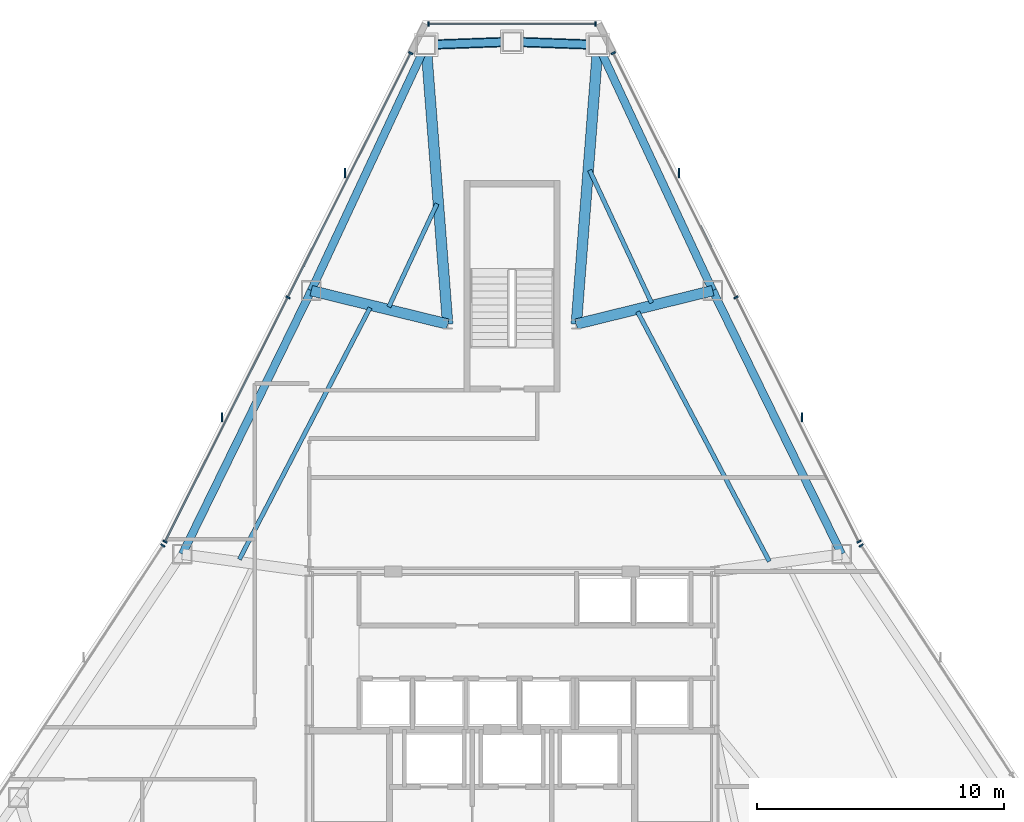
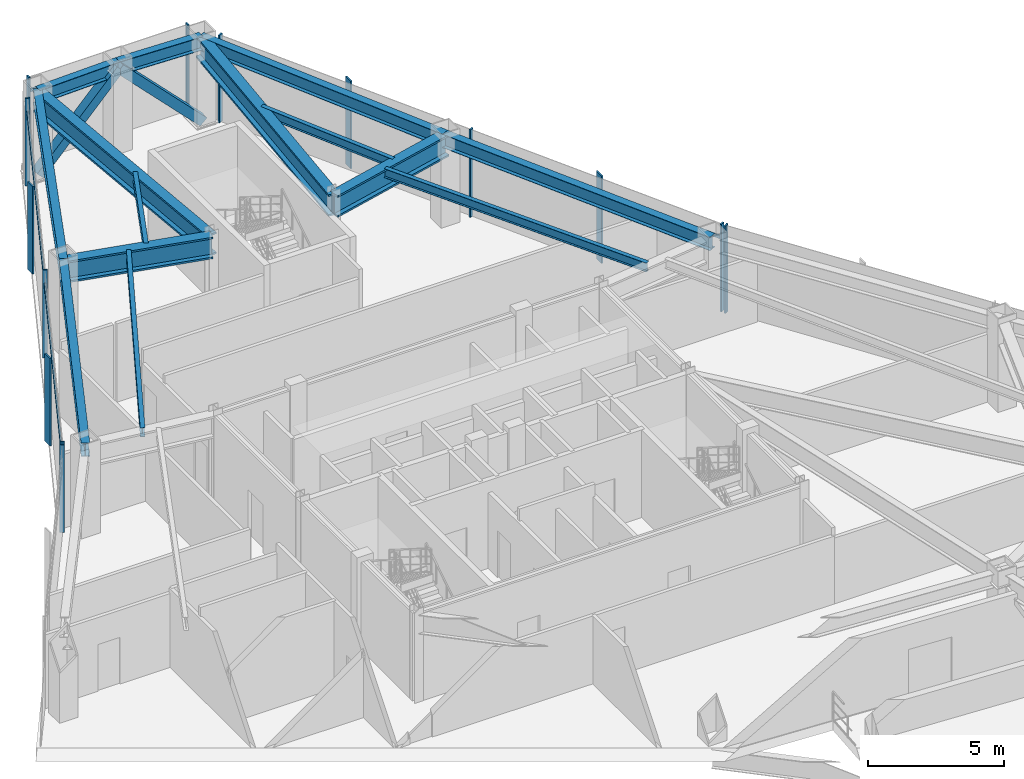
# One storey, part 7 of 13: 19 members, 14 beams, 5 elements without a shape of their own.
"""IFC4 building model written with IfcOpenShell, lengths in metres."""

from ifc_helpers import new_model, si_unit, direction, frame, origin, origin_2d, place, context, subcontext, project, spatial, rectangle, hollow_rectangle, i_section, extrude, source, transform, mapped, material, layer, layer_set, material_profile, profile_set, type_object, type_shapes, element, aggregate, save


model = new_model("IFC4")

# Units and contexts
model_context = context("Model", 3, precision=1e-05, world=origin(), true_north=direction((0.0, 1.0)))
body_context = subcontext(model_context, "Body", "Model", "MODEL_VIEW")
ifc_project = project(units=[si_unit("LENGTHUNIT", "METRE"), si_unit("AREAUNIT", "SQUARE_METRE"), si_unit("VOLUMEUNIT", "CUBIC_METRE"), si_unit("PLANEANGLEUNIT", "RADIAN"), si_unit("MASSUNIT", "GRAM", prefix="KILO")], contexts=[model_context])

# Site, building, storey
site_placement = place(None, origin())
site = spatial("IfcSite", under=ifc_project, at=site_placement, CompositionType="ELEMENT")
building_placement = place(site_placement, origin())
building = spatial("IfcBuilding", under=site, at=building_placement, Name="Varakhsha Concourse Tower", CompositionType="ELEMENT")
storey_placement = place(building_placement, frame((0.0, 0.0, 196.5)))
storey = spatial("IfcBuildingStorey", under=building, at=storey_placement, Name="L56", CompositionType="ELEMENT", Elevation=196.5)

# Beams
ifc_material_1 = material(Name="Structural Steel ASTM A992 Grade 50", Category="steel")
ifc_material_profile_1 = material_profile(ifc_material_1, i_section(OverallWidth=0.177978515625, OverallDepth=0.406982421875, WebThickness=0.008056640625, FlangeThickness=0.012939453125, at=origin_2d()), Name="W16X40")
ifc_profile_set_1 = profile_set([ifc_material_profile_1], Name="Structural Steel ASTM A992 Grade 50")
beam_type_1 = type_object("IfcBeamType", Name="BM-JST-W16X40", PredefinedType="JOIST", material=ifc_profile_set_1)
beam_1_placement = place(storey_placement, frame((36.9677734375, 46.069580078125, 3.736572265625), z_axis=(-0.423117578437, -0.90607478434, 0.0), x_axis=(0.90607478434, -0.423117578437, 0.0)))
element("IfcBeam", 1, at=beam_1_placement, inside=storey, type_object=beam_type_1, Name="BM-TJST-L56-03", PredefinedType="JOIST", context=body_context, shape_type="SweptSolid", body=[
    extrude(i_section(OverallWidth=0.177978515625, OverallDepth=0.406982421875, WebThickness=0.008056640625, FlangeThickness=0.012939453125, at=origin_2d()), origin(), (0.0, 0.0, 1.0), 4.606201171875),
])
beam_2_placement = place(storey_placement, frame((34.259521484375, 41.861083984375, 3.736572265625), z_axis=(-0.460834949747, -0.88748585853, 0.0), x_axis=(0.88748585853, -0.460834949747, 0.0)))
element("IfcBeam", 2, at=beam_2_placement, inside=storey, type_object=beam_type_1, Name="BM-TJST-L56-04", PredefinedType="JOIST", context=body_context, shape_type="SweptSolid", body=[
    extrude(i_section(OverallWidth=0.177978515625, OverallDepth=0.406982421875, WebThickness=0.008056640625, FlangeThickness=0.012939453125, at=origin_2d()), origin(), (0.0, 0.0, 1.0), 11.462890625),
])
beam_3_placement = place(storey_placement, frame((50.406494140625, 31.60400390625, 3.736572265625), z_axis=(-0.466723767291, 0.884403146221, 0.0), x_axis=(-0.884403146221, -0.466723767291, 0.0)))
element("IfcBeam", 3, at=beam_3_placement, inside=storey, type_object=beam_type_1, Name="BM-TJST-L56-17", PredefinedType="JOIST", context=body_context, shape_type="SweptSolid", body=[
    extrude(i_section(OverallWidth=0.177978515625, OverallDepth=0.406982421875, WebThickness=0.008056640625, FlangeThickness=0.012939453125, at=origin_2d()), origin(), (0.0, 0.0, 1.0), 11.41455078125),
])
beam_4_placement = place(storey_placement, frame((45.643310546875, 42.05859375, 3.736572265625), z_axis=(-0.423111124643, 0.906077798096, 0.0), x_axis=(-0.906077798096, -0.423111124643, 0.0)))
element("IfcBeam", 4, at=beam_4_placement, inside=storey, type_object=beam_type_1, Name="BM-TJST-L56-18", PredefinedType="JOIST", context=body_context, shape_type="SweptSolid", body=[
    extrude(i_section(OverallWidth=0.177978515625, OverallDepth=0.406982421875, WebThickness=0.008056640625, FlangeThickness=0.012939453125, at=origin_2d()), origin(), (0.0, 0.0, 1.0), 5.92236328125),
])
ifc_material_profile_2 = material_profile(ifc_material_1, i_section(OverallWidth=0.323974609375, OverallDepth=0.611083984375, WebThickness=0.012939453125, FlangeThickness=0.01904296875, at=origin_2d()), Name="W24X104")
ifc_profile_set_2 = profile_set([ifc_material_profile_2], Name="Structural Steel ASTM A992 Grade 50")
beam_type_2 = type_object("IfcBeamType", Name="BM-SPAN-W24X104", PredefinedType="SPANDREL", material=ifc_profile_set_2)
for number, where, z_axis, x_axis, name in (
    (5, (43.4765625, 52.493408203125, 3.634521484375), (-0.999359273295, 0.035791659367, 0.0), (-0.035791659367, -0.999359273295, 0.0), "BM-SPAN-L56-01"),
    (6, (40.0, 52.617919921875, 3.634521484375), (-0.999359273295, -0.035791659367, 0.0), (0.035791659367, -0.999359273295, 0.0), "BM-SPAN-L56-02"),
):
    element("IfcBeam", number, at=place(storey_placement, frame(where, z_axis=z_axis, x_axis=x_axis)), inside=storey, type_object=beam_type_2, Name=name, PredefinedType="SPANDREL", context=body_context, shape_type="SweptSolid", body=[
        extrude(i_section(OverallWidth=0.323974609375, OverallDepth=0.611083984375, WebThickness=0.012939453125, FlangeThickness=0.01904296875, at=origin_2d()), origin(), (0.0, 0.0, 1.0), 3.478759765625),
    ])
beam_5_placement = place(storey_placement, frame((36.5234375, 52.493408203125, 3.634521484375), z_axis=(-0.423130372471, -0.906068809689, 0.0), x_axis=(0.906068809689, -0.423130372471, 0.0)))
element("IfcBeam", 7, at=beam_5_placement, inside=storey, type_object=beam_type_2, Name="BM-SPAN-L56-03", PredefinedType="SPANDREL", context=body_context, shape_type="SweptSolid", body=[
    extrude(i_section(OverallWidth=0.323974609375, OverallDepth=0.611083984375, WebThickness=0.012939453125, FlangeThickness=0.01904296875, at=origin_2d()), origin(), (0.0, 0.0, 1.0), 10.968505859375),
])
for number, where, z_axis, x_axis, name in (
    (8, (31.88232421875, 42.55517578125, 3.634521484375), (-0.43941051408, -0.898286368657, 0.0), (0.898286368657, -0.43941051408, 0.0), "BM-SPAN-L56-04"),
    (9, (53.331298828125, 31.89697265625, 3.634521484375), (-0.43941051408, 0.898286368657, 0.0), (-0.898286368657, -0.43941051408, 0.0), "BM-SPAN-L56-17"),
):
    element("IfcBeam", number, at=place(storey_placement, frame(where, z_axis=z_axis, x_axis=x_axis)), inside=storey, type_object=beam_type_2, Name=name, PredefinedType="SPANDREL", context=body_context, shape_type="SweptSolid", body=[
        extrude(i_section(OverallWidth=0.323974609375, OverallDepth=0.611083984375, WebThickness=0.012939453125, FlangeThickness=0.01904296875, at=origin_2d()), origin(), (0.0, 0.0, 1.0), 11.864990234375),
    ])
beam_6_placement = place(storey_placement, frame((48.11767578125, 42.55517578125, 3.634521484375), z_axis=(-0.423130372471, 0.906068809689, 0.0), x_axis=(-0.906068809689, -0.423130372471, 0.0)))
element("IfcBeam", 10, at=beam_6_placement, inside=storey, type_object=beam_type_2, Name="BM-SPAN-L56-18", PredefinedType="SPANDREL", context=body_context, shape_type="SweptSolid", body=[
    extrude(i_section(OverallWidth=0.323974609375, OverallDepth=0.611083984375, WebThickness=0.012939453125, FlangeThickness=0.01904296875, at=origin_2d()), origin(), (0.0, 0.0, 1.0), 10.968505859375),
])
ifc_material_profile_3 = material_profile(ifc_material_1, i_section(OverallWidth=0.427978515625, OverallDepth=0.97509765625, WebThickness=0.050048828125, FlangeThickness=0.0810546875, at=origin_2d()), Name="W36X395")
ifc_profile_set_3 = profile_set([ifc_material_profile_3], Name="Structural Steel ASTM A992 Grade 50")
beam_type_3 = type_object("IfcBeamType", Name="BM-XFER-W36X395", PredefinedType="USERDEFINED", material=ifc_profile_set_3)
for number, where, z_axis, x_axis, name in (
    (11, (42.60009765625, 41.199951171875, 3.452392578125), (0.077375529659, 0.997002019762, 0.0), (-0.997002019762, 0.077375529659, 0.0), "L56 Radial Floor Girder 01"),
    (12, (37.39990234375, 41.199951171875, 3.452392578125), (-0.077375529659, 0.997002019762, 0.0), (-0.997002019762, -0.077375529659, 0.0), "L56 Radial Floor Girder 03"),
):
    element("IfcBeam", number, at=place(storey_placement, frame(where, z_axis=z_axis, x_axis=x_axis)), inside=storey, type_object=beam_type_3, Name=name, ObjectType="GIRDER", PredefinedType="USERDEFINED", context=body_context, shape_type="SweptSolid", body=[
        extrude(i_section(OverallWidth=0.427978515625, OverallDepth=0.97509765625, WebThickness=0.050048828125, FlangeThickness=0.0810546875, at=origin_2d()), origin(), (0.0, 0.0, 1.0), 11.327392578125),
    ])
for number, where, z_axis, x_axis, name in (
    (13, (37.39990234375, 41.199951171875, 3.452392578125), (-0.971135199869, 0.238529712145, 0.0), (-0.238529712145, -0.971135199869, 0.0), "L56 Radial Floor Girder 04"),
    (14, (42.60009765625, 41.199951171875, 3.452392578125), (0.971135199869, 0.238529712145, 0.0), (-0.238529712145, 0.971135199869, 0.0), "L56 Radial Floor Girder 18"),
):
    element("IfcBeam", number, at=place(storey_placement, frame(where, z_axis=z_axis, x_axis=x_axis)), inside=storey, type_object=beam_type_3, Name=name, ObjectType="GIRDER", PredefinedType="USERDEFINED", context=body_context, shape_type="SweptSolid", body=[
        extrude(i_section(OverallWidth=0.427978515625, OverallDepth=0.97509765625, WebThickness=0.050048828125, FlangeThickness=0.0810546875, at=origin_2d()), origin(), (0.0, 0.0, 1.0), 5.681640625),
    ])

# Members
ifc_material_2 = material(Name="Structural Steel ASTM A500 Grade C", Category="steel")
ifc_material_profile_4 = material_profile(ifc_material_2, hollow_rectangle(XDim=0.39990234375, YDim=0.39990234375, WallThickness=0.01611328125, at=origin_2d()), Name="HSS 400x400x16")
ifc_profile_set_4 = profile_set([ifc_material_profile_4], Name="Structural Steel ASTM A500 Grade C")
member_type_1 = type_object("IfcMemberType", Name="MB-TUBE-HSS400", PredefinedType="BRACE", material=ifc_profile_set_4)
shared_shape_1 = source(origin(), body_context, "Body", "SweptSolid", [
    extrude(hollow_rectangle(XDim=0.39990234375, YDim=0.39990234375, WallThickness=0.01611328125, at=origin_2d()), origin(), (0.0, 0.0, 1.0), 4.94873046875),
])
type_shapes(member_type_1, [shared_shape_1])
for number, where, z_axis, x_axis, name in (
    (15, (43.4765625, 52.493408203125, 0.1201171875), (-0.702503476159, 0.025159885733, 0.711235436501), (-0.035791659367, -0.999359273295, 0.0), "L56 Wind-Corner Tube Brace B01"),
    (16, (36.5234375, 52.493408203125, 0.1201171875), (0.702503476159, 0.025159885733, 0.711235436501), (-0.035791659367, 0.999359273295, 0.0), "L56 Wind-Corner Tube Brace B02"),
):
    element("IfcMember", number, at=place(storey_placement, frame(where, z_axis=z_axis, x_axis=x_axis)), inside=storey, type_object=member_type_1, Name=name, PredefinedType="BRACE", context=body_context, shape_type="MappedRepresentation", body=[
        mapped(shared_shape_1, transform((0.0, 0.0, 0.0), scale=1.0)),
    ])

# Curtain wall, members
ifc_material_3 = material(Name="Anodised Bronze Architectural Aluminium AA 6063-T6", Category="aluminium")
ifc_layer = layer(ifc_material_3, 0.2099609375, Name="CW-SYS-04")
ifc_layer_set = layer_set([ifc_layer], Name="Anodised Bronze Architectural Aluminium AA 6063-T6")
curtain_wall_type = type_object("IfcCurtainWallType", Name="CW-SYS-04", PredefinedType="NOTDEFINED", material=ifc_layer_set)
curtain_wall_1_placement = place(storey_placement, origin())
curtain_wall_1 = element("IfcCurtainWall", 17, at=curtain_wall_1_placement, inside=storey, type_object=curtain_wall_type, Name="L56 Chamfer Curtain Wall F1", PredefinedType="NOTDEFINED")
ifc_material_profile_5 = material_profile(ifc_material_3, rectangle(XDim=0.06494140625, YDim=0.179931640625, at=origin_2d()), Name="CWM-180X65")
ifc_profile_set_5 = profile_set([ifc_material_profile_5], Name="Anodised Bronze Architectural Aluminium AA 6063-T6")
member_type_2 = type_object("IfcMemberType", Name="CWM-180X65", PredefinedType="MULLION", material=ifc_profile_set_5)
shared_shape_2 = source(origin(), body_context, "Body", "SweptSolid", [
    extrude(rectangle(XDim=0.06494140625, YDim=0.179931640625, at=origin_2d()), origin(), (0.0, 0.0, 1.0), 3.93994140625),
])
type_shapes(member_type_2, [shared_shape_2])
member_1_placement = place(storey_placement, frame((36.6201171875, 53.337890625, 0.0), z_axis=(0.0, 0.0, 1.0), x_axis=(1.0, 0.0, 0.0)))
member_1 = element("IfcMember", 18, at=member_1_placement, type_object=member_type_2, Name="CW-L56-F1 Mullion 00", PredefinedType="MULLION", context=body_context, shape_type="MappedRepresentation", body=[
    mapped(shared_shape_2, transform((0.0, 0.0, 0.0), scale=1.0)),
])
member_2_placement = place(storey_placement, frame((43.3798828125, 53.337890625, 0.0), z_axis=(0.0, 0.0, 1.0), x_axis=(1.0, 0.0, 0.0)))
member_2 = element("IfcMember", 19, at=member_2_placement, type_object=member_type_2, Name="CW-L56-F1 Mullion 01", PredefinedType="MULLION", context=body_context, shape_type="MappedRepresentation", body=[
    mapped(shared_shape_2, transform((0.0, 0.0, 0.0), scale=1.0)),
])

curtain_wall_2_placement = place(storey_placement, origin())
curtain_wall_2 = element("IfcCurtainWall", 20, at=curtain_wall_2_placement, inside=storey, type_object=curtain_wall_type, Name="L56 Crystal Curtain Wall F2", PredefinedType="NOTDEFINED")
member_3_placement = place(storey_placement, frame((25.97119140625, 32.402587890625, 0.0), z_axis=(0.0, 0.0, 1.0), x_axis=(0.44925506915, 0.893403538634, 0.0)))
member_3 = element("IfcMember", 21, at=member_3_placement, type_object=member_type_2, Name="CW-L56-F2 Mullion 00", PredefinedType="MULLION", context=body_context, shape_type="MappedRepresentation", body=[
    mapped(shared_shape_2, transform((0.0, 0.0, 0.0), scale=1.0)),
])
member_4_placement = place(storey_placement, frame((30.93798828125, 42.280029296875, 0.0), z_axis=(0.0, 0.0, 1.0), x_axis=(0.44925506915, 0.893403538634, 0.0)))
member_4 = element("IfcMember", 22, at=member_4_placement, type_object=member_type_2, Name="CW-L56-F2 Mullion 01", PredefinedType="MULLION", context=body_context, shape_type="MappedRepresentation", body=[
    mapped(shared_shape_2, transform((0.0, 0.0, 0.0), scale=1.0)),
])
member_5_placement = place(storey_placement, frame((35.905029296875, 52.157470703125, 0.0), z_axis=(0.0, 0.0, 1.0), x_axis=(0.44925506915, 0.893403538634, 0.0)))
member_5 = element("IfcMember", 23, at=member_5_placement, type_object=member_type_2, Name="CW-L56-F2 Mullion 02", PredefinedType="MULLION", context=body_context, shape_type="MappedRepresentation", body=[
    mapped(shared_shape_2, transform((0.0, 0.0, 0.0), scale=1.0)),
])

# Curtain wall, member
curtain_wall_3_placement = place(storey_placement, origin())
curtain_wall_3 = element("IfcCurtainWall", 24, at=curtain_wall_3_placement, inside=storey, type_object=curtain_wall_type, Name="L56 Crystal Curtain Wall F3", PredefinedType="NOTDEFINED")
member_6_placement = place(storey_placement, frame((25.882080078125, 32.248291015625, 0.0), z_axis=(0.0, 0.0, 1.0), x_axis=(0.549079708329, 0.835769988634, 0.0)))
member_6 = element("IfcMember", 25, at=member_6_placement, type_object=member_type_2, Name="CW-L56-F3 Mullion 02", PredefinedType="MULLION", context=body_context, shape_type="MappedRepresentation", body=[
    mapped(shared_shape_2, transform((0.0, 0.0, 0.0), scale=1.0)),
])
aggregate(curtain_wall_3, [member_6])

curtain_wall_4_placement = place(storey_placement, origin())
curtain_wall_4 = element("IfcCurtainWall", 26, at=curtain_wall_4_placement, inside=storey, type_object=curtain_wall_type, Name="L56 Crystal Curtain Wall F8", PredefinedType="NOTDEFINED")
member_7_placement = place(storey_placement, frame((54.117919921875, 32.248291015625, 0.0), z_axis=(0.0, 0.0, 1.0), x_axis=(0.549079708329, -0.835769988634, 0.0)))
member_7 = element("IfcMember", 27, at=member_7_placement, type_object=member_type_2, Name="CW-L56-F8 Mullion 00", PredefinedType="MULLION", context=body_context, shape_type="MappedRepresentation", body=[
    mapped(shared_shape_2, transform((0.0, 0.0, 0.0), scale=1.0)),
])
aggregate(curtain_wall_4, [member_7])

# Curtain wall, members
curtain_wall_5_placement = place(storey_placement, origin())
curtain_wall_5 = element("IfcCurtainWall", 28, at=curtain_wall_5_placement, inside=storey, type_object=curtain_wall_type, Name="L56 Crystal Curtain Wall F9", PredefinedType="NOTDEFINED")
member_8_placement = place(storey_placement, frame((44.094970703125, 52.157470703125, 0.0), z_axis=(0.0, 0.0, 1.0), x_axis=(0.44925506915, -0.893403538634, 0.0)))
member_8 = element("IfcMember", 29, at=member_8_placement, type_object=member_type_2, Name="CW-L56-F9 Mullion 00", PredefinedType="MULLION", context=body_context, shape_type="MappedRepresentation", body=[
    mapped(shared_shape_2, transform((0.0, 0.0, 0.0), scale=1.0)),
])
member_9_placement = place(storey_placement, frame((49.06201171875, 42.27978515625, 0.0), z_axis=(0.0, 0.0, 1.0), x_axis=(0.44925506915, -0.893403538634, 0.0)))
member_9 = element("IfcMember", 30, at=member_9_placement, type_object=member_type_2, Name="CW-L56-F9 Mullion 01", PredefinedType="MULLION", context=body_context, shape_type="MappedRepresentation", body=[
    mapped(shared_shape_2, transform((0.0, 0.0, 0.0), scale=1.0)),
])
member_10_placement = place(storey_placement, frame((54.02880859375, 32.402587890625, 0.0), z_axis=(0.0, 0.0, 1.0), x_axis=(0.44925506915, -0.893403538634, 0.0)))
member_10 = element("IfcMember", 31, at=member_10_placement, type_object=member_type_2, Name="CW-L56-F9 Mullion 02", PredefinedType="MULLION", context=body_context, shape_type="MappedRepresentation", body=[
    mapped(shared_shape_2, transform((0.0, 0.0, 0.0), scale=1.0)),
])

# Member
ifc_material_profile_6 = material_profile(ifc_material_3, rectangle(XDim=0.06005859375, YDim=0.139892578125, at=origin_2d()), Name="CWT-140X60")
ifc_profile_set_6 = profile_set([ifc_material_profile_6], Name="Anodised Bronze Architectural Aluminium AA 6063-T6")
member_type_3 = type_object("IfcMemberType", Name="CWT-140X60", PredefinedType="USERDEFINED", material=ifc_profile_set_6)
shared_shape_3 = source(origin(), body_context, "Body", "SweptSolid", [
    extrude(rectangle(XDim=0.06005859375, YDim=0.139892578125, at=origin_2d()), origin(), (0.0, 0.0, 1.0), 6.759765625),
])
member_11_placement = place(storey_placement, frame((36.6201171875, 53.337890625, 3.2900390625), z_axis=(1.0, 0.0, 0.0), x_axis=(0.0, 1.0, 0.0)))
member_11 = element("IfcMember", 32, at=member_11_placement, type_object=member_type_3, Name="CW-L56-F1 Transom 01", ObjectType="TRANSOM", PredefinedType="USERDEFINED", context=body_context, shape_type="MappedRepresentation", body=[
    mapped(shared_shape_3, transform((0.0, 0.0, 0.0), scale=1.0)),
])

aggregate(curtain_wall_1, [member_1, member_2, member_11])

shared_shape_4 = source(origin(), body_context, "Body", "SweptSolid", [
    extrude(rectangle(XDim=0.06005859375, YDim=0.139892578125, at=origin_2d()), origin(), (0.0, 0.0, 1.0), 22.11181640625),
])
type_shapes(member_type_3, [shared_shape_3, shared_shape_4])
member_12_placement = place(storey_placement, frame((25.97119140625, 32.402587890625, 3.2900390625), z_axis=(0.449252834003, 0.893404662592, 0.0), x_axis=(-0.893404662592, 0.449252834003, 0.0)))
member_12 = element("IfcMember", 33, at=member_12_placement, type_object=member_type_3, Name="CW-L56-F2 Transom 01", ObjectType="TRANSOM", PredefinedType="USERDEFINED", context=body_context, shape_type="MappedRepresentation", body=[
    mapped(shared_shape_4, transform((0.0, 0.0, 0.0), scale=1.0)),
])

member_13_placement = place(storey_placement, frame((44.094970703125, 52.157470703125, 3.2900390625), z_axis=(0.449252834003, -0.893404662592, 0.0), x_axis=(0.893404662592, 0.449252834003, 0.0)))
member_13 = element("IfcMember", 34, at=member_13_placement, type_object=member_type_3, Name="CW-L56-F9 Transom 01", ObjectType="TRANSOM", PredefinedType="USERDEFINED", context=body_context, shape_type="MappedRepresentation", body=[
    mapped(shared_shape_4, transform((0.0, 0.0, 0.0), scale=1.0)),
])

ifc_material_profile_7 = material_profile(ifc_material_3, rectangle(XDim=0.06005859375, YDim=0.3798828125, at=origin_2d()), Name="FIN-BRZ-380")
ifc_profile_set_7 = profile_set([ifc_material_profile_7], Name="Anodised Bronze Architectural Aluminium AA 6063-T6")
member_type_4 = type_object("IfcMemberType", Name="FIN-BRZ-380", PredefinedType="USERDEFINED", material=ifc_profile_set_7)
shared_shape_5 = source(origin(), body_context, "Body", "SweptSolid", [
    extrude(rectangle(XDim=0.06005859375, YDim=0.3798828125, at=origin_2d()), origin(), (0.0, 0.0, 1.0), 3.93994140625),
])
type_shapes(member_type_4, [shared_shape_5])
member_14_placement = place(storey_placement, frame((28.271484375, 37.433349609375, 0.0), z_axis=(0.0, 0.0, 1.0), x_axis=(1.0, 0.0, 0.0)))
member_14 = element("IfcMember", 35, at=member_14_placement, type_object=member_type_4, Name="L56 Anodised Bronze Solar Fin F2-1", ObjectType="SOLAR FIN", PredefinedType="USERDEFINED", context=body_context, shape_type="MappedRepresentation", body=[
    mapped(shared_shape_5, transform((0.0, 0.0, 0.0), scale=1.0)),
])

member_15_placement = place(storey_placement, frame((33.23828125, 47.310791015625, 0.0), z_axis=(0.0, 0.0, 1.0), x_axis=(1.0, 0.0, 0.0)))
member_15 = element("IfcMember", 36, at=member_15_placement, type_object=member_type_4, Name="L56 Anodised Bronze Solar Fin F2-2", ObjectType="SOLAR FIN", PredefinedType="USERDEFINED", context=body_context, shape_type="MappedRepresentation", body=[
    mapped(shared_shape_5, transform((0.0, 0.0, 0.0), scale=1.0)),
])

aggregate(curtain_wall_2, [member_3, member_4, member_5, member_12, member_14, member_15])

member_16_placement = place(storey_placement, frame((46.76171875, 47.310791015625, 0.0), z_axis=(0.0, 0.0, 1.0), x_axis=(1.0, 0.0, 0.0)))
member_16 = element("IfcMember", 37, at=member_16_placement, type_object=member_type_4, Name="L56 Anodised Bronze Solar Fin F9-1", ObjectType="SOLAR FIN", PredefinedType="USERDEFINED", context=body_context, shape_type="MappedRepresentation", body=[
    mapped(shared_shape_5, transform((0.0, 0.0, 0.0), scale=1.0)),
])

member_17_placement = place(storey_placement, frame((51.728515625, 37.433349609375, 0.0), z_axis=(0.0, 0.0, 1.0), x_axis=(1.0, 0.0, 0.0)))
member_17 = element("IfcMember", 38, at=member_17_placement, type_object=member_type_4, Name="L56 Anodised Bronze Solar Fin F9-2", ObjectType="SOLAR FIN", PredefinedType="USERDEFINED", context=body_context, shape_type="MappedRepresentation", body=[
    mapped(shared_shape_5, transform((0.0, 0.0, 0.0), scale=1.0)),
])

aggregate(curtain_wall_5, [member_8, member_9, member_10, member_13, member_16, member_17])

save(model, "model.ifc")
